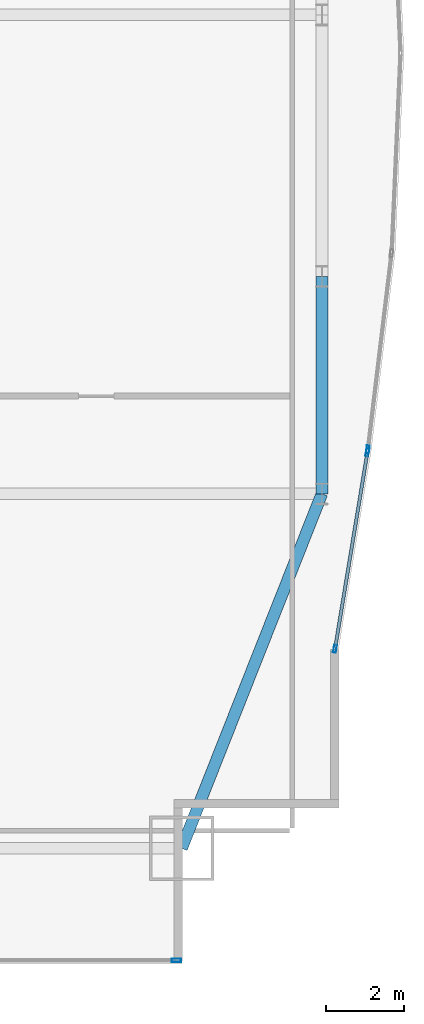
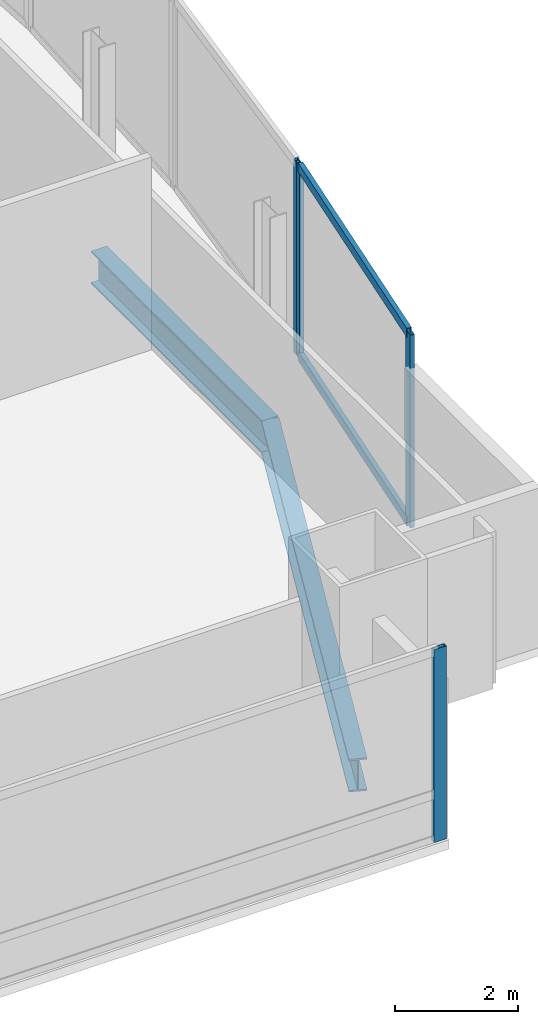
# One storey, part 21 of 32: 6 members, 2 beams, 3 elements without a shape of their own.
"""IFC4 building model written with IfcOpenShell, lengths in metres."""

from ifc_helpers import new_model, si_unit, direction, frame, origin, origin_2d, place, context, subcontext, project, spatial, hollow_rectangle, i_section, extrude, material, material_profile, profile_set, type_object, element, aggregate, save


model = new_model("IFC4")

# Units and contexts
model_context = context("Model", 3, precision=1e-05, world=origin(), true_north=direction((0.0, 1.0)))
body_context = subcontext(model_context, "Body", "Model", "MODEL_VIEW")
ifc_project = project(units=[si_unit("LENGTHUNIT", "METRE"), si_unit("AREAUNIT", "SQUARE_METRE"), si_unit("VOLUMEUNIT", "CUBIC_METRE"), si_unit("PLANEANGLEUNIT", "RADIAN"), si_unit("MASSUNIT", "GRAM", prefix="KILO")], contexts=[model_context])

# Site, building, storey
site_placement = place(None, origin())
site = spatial("IfcSite", under=ifc_project, at=site_placement, CompositionType="ELEMENT")
building_placement = place(site_placement, origin())
building = spatial("IfcBuilding", under=site, at=building_placement, Name="Khoronbel Lancet Exchange", CompositionType="ELEMENT")
storey_placement = place(building_placement, frame((0.0, 0.0, 65.800048828125)))
storey = spatial("IfcBuildingStorey", under=building, at=storey_placement, Name="L15", CompositionType="ELEMENT", Elevation=65.800048828125)

# Beams
ifc_material_1 = material(Name="Steel S355", Category="steel")
ifc_material_profile_1 = material_profile(ifc_material_1, i_section(OverallWidth=0.300048828125, OverallDepth=0.64990234375, WebThickness=0.01611328125, FlangeThickness=0.031005859375, at=origin_2d()), Name="HEB 650")
ifc_profile_set_1 = profile_set([ifc_material_profile_1], Name="Steel S355")
beam_type = type_object("IfcBeamType", Name="BM-BSP1", PredefinedType="SPANDREL", material=ifc_profile_set_1)
beam_1_placement = place(storey_placement, frame((68.050048828125, 10.14990234375, -0.505126953125), z_axis=(0.367828403855, 0.929893684954, 0.0), x_axis=(-0.929893684954, 0.367828403855, 0.0)))
element("IfcBeam", 1, at=beam_1_placement, inside=storey, type_object=beam_type, Name="Level L15 perimeter spandrel beam SP10", PredefinedType="SPANDREL", context=body_context, shape_type="SweptSolid", body=[
    extrude(i_section(OverallWidth=0.300048828125, OverallDepth=0.64990234375, WebThickness=0.01611328125, FlangeThickness=0.031005859375, at=origin_2d()), origin(), (0.0, 0.0, 1.0), 9.732421875),
])
beam_2_placement = place(storey_placement, frame((71.6298828125, 19.199951171875, -0.505126953125), z_axis=(0.0, 1.0, 0.0), x_axis=(-1.0, 0.0, 0.0)))
element("IfcBeam", 2, at=beam_2_placement, inside=storey, type_object=beam_type, Name="Level L15 perimeter spandrel beam SP11", PredefinedType="SPANDREL", context=body_context, shape_type="SweptSolid", body=[
    extrude(i_section(OverallWidth=0.300048828125, OverallDepth=0.64990234375, WebThickness=0.01611328125, FlangeThickness=0.031005859375, at=origin_2d()), origin(), (0.0, 0.0, 1.0), 5.550048828125),
])

# Curtain wall, member
ifc_material_2 = material(Name="Low-E Solar Control Insulating Glass", Category="glass")
curtain_wall_type_1 = type_object("IfcCurtainWallType", Name="CW-1", PredefinedType="NOTDEFINED", material=ifc_material_2)
curtain_wall_1_placement = place(storey_placement, origin())
curtain_wall_1 = element("IfcCurtainWall", 3, at=curtain_wall_1_placement, inside=storey, type_object=curtain_wall_type_1, Name="Unitised curtain wall CW-L15-SEV", PredefinedType="NOTDEFINED")
ifc_material_3 = material(Name="Bronze-Anodised Aluminium 6063-T6", Category="aluminium")
ifc_material_profile_2 = material_profile(ifc_material_3, hollow_rectangle(XDim=0.0849609375, YDim=0.239990234375, WallThickness=0.006103515625, at=origin_2d()), Name="ALU MULLION 85x240")
ifc_profile_set_2 = profile_set([ifc_material_profile_2], Name="Bronze-Anodised Aluminium 6063-T6")
member_type_1 = type_object("IfcMemberType", Name="MEM-CWM1", PredefinedType="MULLION", material=ifc_profile_set_2)
member_1_placement = place(storey_placement, frame((67.91748046875, 7.2900390625, 0.0), z_axis=(0.0, 0.0, 1.0), x_axis=(0.0, 1.0, 0.0)))
member_1 = element("IfcMember", 4, at=member_1_placement, type_object=member_type_1, Name="CW1 mullion 2", PredefinedType="MULLION", context=body_context, shape_type="SweptSolid", body=[
    extrude(hollow_rectangle(XDim=0.0849609375, YDim=0.239990234375, WallThickness=0.006103515625, at=origin_2d()), origin(), (0.0, 0.0, 1.0), 3.820068359375),
])
aggregate(curtain_wall_1, [member_1])

curtain_wall_type_2 = type_object("IfcCurtainWallType", Name="CW-4", PredefinedType="NOTDEFINED", material=ifc_material_2)
curtain_wall_2_placement = place(storey_placement, origin())
curtain_wall_2 = element("IfcCurtainWall", 5, at=curtain_wall_2_placement, inside=storey, type_object=curtain_wall_type_2, Name="Unitised curtain wall CW-L15-E21", PredefinedType="NOTDEFINED")
ifc_material_profile_3 = material_profile(ifc_material_3, hollow_rectangle(XDim=0.074951171875, YDim=0.199951171875, WallThickness=0.0048828125, at=origin_2d()), Name="ALU MULLION 75x200")
ifc_profile_set_3 = profile_set([ifc_material_profile_3], Name="Bronze-Anodised Aluminium 6063-T6")
member_type_2 = type_object("IfcMemberType", Name="MEM-CWM2", PredefinedType="MULLION", material=ifc_profile_set_3)
member_2_placement = place(storey_placement, frame((72.803466796875, 20.333251953125, 0.0), z_axis=(0.0, 0.0, 1.0), x_axis=(0.992797337114, -0.119805873895, 0.0)))
member_2 = element("IfcMember", 6, at=member_2_placement, type_object=member_type_2, Name="CW4 mullion 2", PredefinedType="MULLION", context=body_context, shape_type="SweptSolid", body=[
    extrude(hollow_rectangle(XDim=0.074951171875, YDim=0.199951171875, WallThickness=0.0048828125, at=origin_2d()), origin(), (0.0, 0.0, 1.0), 3.820068359375),
])
aggregate(curtain_wall_2, [member_2])

# Curtain wall, members
curtain_wall_3_placement = place(storey_placement, origin())
curtain_wall_3 = element("IfcCurtainWall", 7, at=curtain_wall_3_placement, inside=storey, type_object=curtain_wall_type_2, Name="Unitised curtain wall CW-L15-E22", PredefinedType="NOTDEFINED")
member_3_placement = place(storey_placement, frame((72.792724609375, 20.259033203125, 0.0), z_axis=(0.0, 0.0, 1.0), x_axis=(0.986681675242, -0.162663062008, 0.0)))
member_3 = element("IfcMember", 8, at=member_3_placement, type_object=member_type_2, Name="CW4 mullion 1", PredefinedType="MULLION", context=body_context, shape_type="SweptSolid", body=[
    extrude(hollow_rectangle(XDim=0.074951171875, YDim=0.199951171875, WallThickness=0.0048828125, at=origin_2d()), origin(), (0.0, 0.0, 1.0), 3.820068359375),
])
member_4_placement = place(storey_placement, frame((71.966064453125, 15.244384765625, 0.0), z_axis=(0.0, 0.0, 1.0), x_axis=(0.986681675242, -0.162663062008, 0.0)))
member_4 = element("IfcMember", 9, at=member_4_placement, type_object=member_type_2, Name="CW4 mullion 2", PredefinedType="MULLION", context=body_context, shape_type="SweptSolid", body=[
    extrude(hollow_rectangle(XDim=0.074951171875, YDim=0.199951171875, WallThickness=0.0048828125, at=origin_2d()), origin(), (0.0, 0.0, 1.0), 3.820068359375),
])
ifc_material_profile_4 = material_profile(ifc_material_3, hollow_rectangle(XDim=0.0849609375, YDim=0.179931640625, WallThickness=0.0048828125, at=origin_2d()), Name="ALU TRANSOM 85x180")
ifc_profile_set_4 = profile_set([ifc_material_profile_4], Name="Bronze-Anodised Aluminium 6063-T6")
member_type_3 = type_object("IfcMemberType", Name="MEM-CWT1", PredefinedType="USERDEFINED", material=ifc_profile_set_4)
member_5_placement = place(storey_placement, frame((72.78662109375, 20.221923828125, 0.04248046875), z_axis=(-0.162659229893, -0.986682306992, 0.0), x_axis=(0.986682306992, -0.162659229893, 0.0)))
member_5 = element("IfcMember", 10, at=member_5_placement, type_object=member_type_3, Name="CW4 transom 1.1", ObjectType="TRANSOM", PredefinedType="USERDEFINED", context=body_context, shape_type="SweptSolid", body=[
    extrude(hollow_rectangle(XDim=0.0849609375, YDim=0.179931640625, WallThickness=0.0048828125, at=origin_2d()), origin(), (0.0, 0.0, 1.0), 5.007080078125),
])
member_6_placement = place(storey_placement, frame((72.78662109375, 20.221923828125, 3.77734375), z_axis=(-0.162659229893, -0.986682306992, 0.0), x_axis=(0.986682306992, -0.162659229893, 0.0)))
member_6 = element("IfcMember", 11, at=member_6_placement, type_object=member_type_3, Name="CW4 transom 1.2", ObjectType="TRANSOM", PredefinedType="USERDEFINED", context=body_context, shape_type="SweptSolid", body=[
    extrude(hollow_rectangle(XDim=0.0849609375, YDim=0.179931640625, WallThickness=0.0048828125, at=origin_2d()), origin(), (0.0, 0.0, 1.0), 5.007080078125),
])
aggregate(curtain_wall_3, [member_3, member_4, member_5, member_6])

save(model, "model.ifc")
